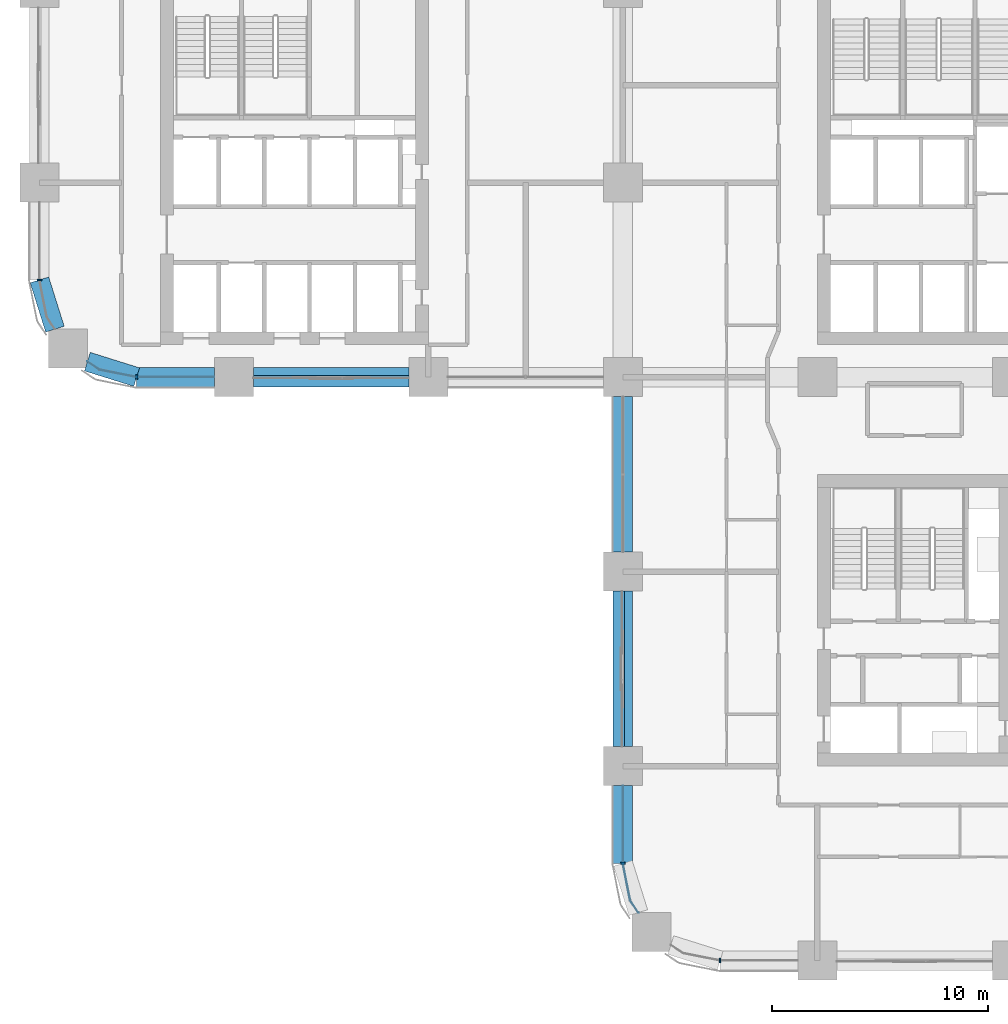
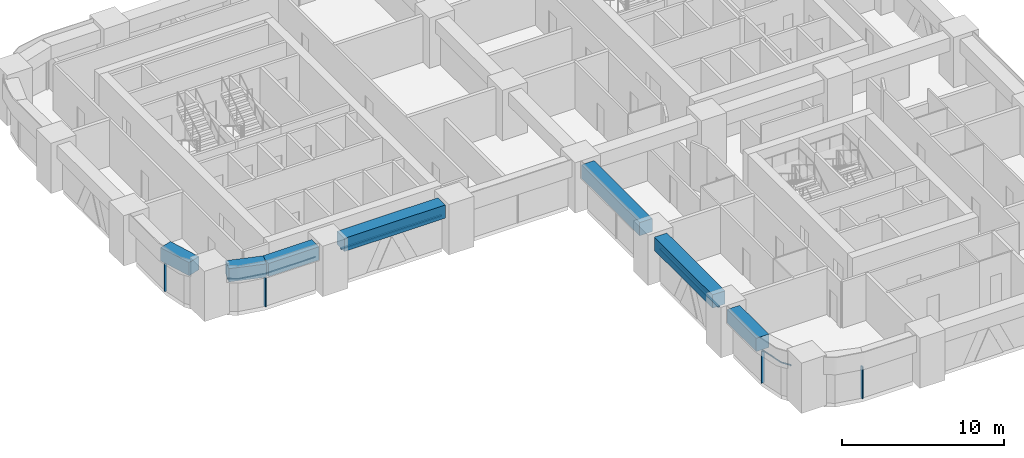
# One storey, part 2 of 26: 8 members, 7 beams, 6 elements without a shape of their own.
"""IFC4 building model written with IfcOpenShell, lengths in metres."""

from ifc_helpers import new_model, si_unit, direction, frame, origin, origin_2d, place, context, subcontext, project, spatial, polyline, rectangle, outline, extrude, material, material_profile, profile_set, type_object, element, aggregate, save


model = new_model("IFC4")

# Units and contexts
model_context = context("Model", 3, precision=1e-05, world=origin(), true_north=direction((0.0, 1.0)))
body_context = subcontext(model_context, "Body", "Model", "MODEL_VIEW")
ifc_project = project(units=[si_unit("LENGTHUNIT", "METRE"), si_unit("AREAUNIT", "SQUARE_METRE"), si_unit("VOLUMEUNIT", "CUBIC_METRE"), si_unit("PLANEANGLEUNIT", "RADIAN"), si_unit("MASSUNIT", "GRAM", prefix="KILO")], contexts=[model_context])

# Site, building, storey
site_placement = place(None, origin())
site = spatial("IfcSite", under=ifc_project, at=site_placement, CompositionType="ELEMENT")
building_placement = place(site_placement, origin())
building = spatial("IfcBuilding", under=site, at=building_placement, Name="Tessera Arch", CompositionType="ELEMENT")
storey_placement = place(building_placement, frame((0.0, 0.0, 96.800048828125)))
storey = spatial("IfcBuildingStorey", under=building, at=storey_placement, Name="L22", CompositionType="ELEMENT", Elevation=96.800048828125)

# Curtain wall, member
ifc_material_1 = material(Name="CW2 curtain wall")
curtain_wall_type_1 = type_object("IfcCurtainWallType", Name="CW2 curtain wall", PredefinedType="NOTDEFINED", material=ifc_material_1)
curtain_wall_1_placement = place(storey_placement, origin())
curtain_wall_1 = element("IfcCurtainWall", 1, at=curtain_wall_1_placement, inside=storey, type_object=curtain_wall_type_1, Name="CW2 curtain wall W0.27/2 L22", PredefinedType="NOTDEFINED")
ifc_material_2 = material(Name="Anodised aluminium pale metal", Category="aluminium")
ifc_material_profile_1 = material_profile(ifc_material_2, rectangle(XDim=0.199951171875, YDim=0.080078125, at=origin_2d()), Name="AL 80x200")
ifc_profile_set_1 = profile_set([ifc_material_profile_1], Name="Anodised aluminium pale metal")
member_type_1 = type_object("IfcMemberType", Name="CW2 mullion", PredefinedType="MULLION", material=ifc_profile_set_1)
member_1_placement = place(storey_placement, frame((0.0, 31.5, 0.0), z_axis=(0.0, 0.0, 1.0), x_axis=(1.0, 0.0, 0.0)))
member_1 = element("IfcMember", 2, at=member_1_placement, type_object=member_type_1, Name="CW2 mullion W0.27/2 1", PredefinedType="MULLION", context=body_context, shape_type="SweptSolid", body=[
    extrude(rectangle(XDim=0.199951171875, YDim=0.080078125, at=origin_2d()), origin(), (0.0, 0.0, 1.0), 2.39990234375),
])
aggregate(curtain_wall_1, [member_1])

curtain_wall_2_placement = place(storey_placement, origin())
curtain_wall_2 = element("IfcCurtainWall", 3, at=curtain_wall_2_placement, inside=storey, type_object=curtain_wall_type_1, Name="CW2 curtain wall S27.0/0 L22", PredefinedType="NOTDEFINED")
member_2_placement = place(storey_placement, frame((4.5, 27.0, 0.0), z_axis=(0.0, 0.0, 1.0), x_axis=(0.0, 1.0, 0.0)))
member_2 = element("IfcMember", 4, at=member_2_placement, type_object=member_type_1, Name="CW2 mullion S27.0/0 1", PredefinedType="MULLION", context=body_context, shape_type="SweptSolid", body=[
    extrude(rectangle(XDim=0.199951171875, YDim=0.080078125, at=origin_2d()), origin(), (0.0, 0.0, 1.0), 2.39990234375),
])

curtain_wall_3_placement = place(storey_placement, origin())
curtain_wall_3 = element("IfcCurtainWall", 5, at=curtain_wall_3_placement, inside=storey, type_object=curtain_wall_type_1, Name="CW2 curtain wall W27.0/2 L22", PredefinedType="NOTDEFINED")
member_3_placement = place(storey_placement, frame((27.0, 4.5, 0.0), z_axis=(0.0, 0.0, 1.0), x_axis=(1.0, 0.0, 0.0)))
member_3 = element("IfcMember", 6, at=member_3_placement, type_object=member_type_1, Name="CW2 mullion W27.0/2 1", PredefinedType="MULLION", context=body_context, shape_type="SweptSolid", body=[
    extrude(rectangle(XDim=0.199951171875, YDim=0.080078125, at=origin_2d()), origin(), (0.0, 0.0, 1.0), 2.39990234375),
])

curtain_wall_4_placement = place(storey_placement, origin())
curtain_wall_4 = element("IfcCurtainWall", 7, at=curtain_wall_4_placement, inside=storey, type_object=curtain_wall_type_1, Name="CW2 curtain wall S0.27/0 L22", PredefinedType="NOTDEFINED")
member_4_placement = place(storey_placement, frame((31.5, 0.0, 0.0), z_axis=(0.0, 0.0, 1.0), x_axis=(0.0, 1.0, 0.0)))
member_4 = element("IfcMember", 8, at=member_4_placement, type_object=member_type_1, Name="CW2 mullion S0.27/0 1", PredefinedType="MULLION", context=body_context, shape_type="SweptSolid", body=[
    extrude(rectangle(XDim=0.199951171875, YDim=0.080078125, at=origin_2d()), origin(), (0.0, 0.0, 1.0), 2.39990234375),
])
aggregate(curtain_wall_4, [member_4])

# Member
ifc_material_3 = material(Name="Anodised aluminium pale metal", Category="aluminium")
ifc_material_profile_2 = material_profile(ifc_material_3, rectangle(XDim=0.199951171875, YDim=0.10009765625, at=origin_2d()), Name="AL 200x100")
ifc_profile_set_2 = profile_set([ifc_material_profile_2], Name="Anodised aluminium pale metal")
member_type_2 = type_object("IfcMemberType", Name="CW2 transom", PredefinedType="USERDEFINED", material=ifc_profile_set_2)
member_5_placement = place(storey_placement, frame((0.0, 0.0, 2.39990234375)))
member_5 = element("IfcMember", 9, at=member_5_placement, type_object=member_type_2, Name="CW2 transom S27.0/0 1", ObjectType="TRANSOM", PredefinedType="USERDEFINED", context=body_context, shape_type="SweptSolid", body=[
    extrude(outline(polyline([(2.78173828125, 27.351806640625), (2.2236328125, 27.72509765625), (2.21240234375, 27.70849609375), (2.77392578125, 27.3330078125), (4.4990234375, 26.989990234375), (8.10009765625, 26.989990234375), (8.10009765625, 27.010009765625), (4.5009765625, 27.010009765625), (2.78173828125, 27.351806640625)])), origin(), (0.0, 0.0, 1.0), 0.10009765625),
])

aggregate(curtain_wall_2, [member_2, member_5])

member_6_placement = place(storey_placement, frame((0.0, 0.0, 2.39990234375)))
member_6 = element("IfcMember", 10, at=member_6_placement, type_object=member_type_2, Name="CW2 transom W27.0/2 1", ObjectType="TRANSOM", PredefinedType="USERDEFINED", context=body_context, shape_type="SweptSolid", body=[
    extrude(outline(polyline([(27.010009765625, 4.5009765625), (27.010009765625, 8.10009765625), (26.989990234375, 8.10009765625), (26.989990234375, 4.4990234375), (27.3330078125, 2.77392578125), (27.70849609375, 2.21240234375), (27.72509765625, 2.2236328125), (27.351806640625, 2.78173828125), (27.010009765625, 4.5009765625)])), origin(), (0.0, 0.0, 1.0), 0.10009765625),
])

aggregate(curtain_wall_3, [member_3, member_6])

# Curtain wall, member
ifc_material_4 = material(Name="CW3 curtain wall")
curtain_wall_type_2 = type_object("IfcCurtainWallType", Name="CW3 curtain wall", PredefinedType="NOTDEFINED", material=ifc_material_4)
curtain_wall_5_placement = place(storey_placement, origin())
curtain_wall_5 = element("IfcCurtainWall", 11, at=curtain_wall_5_placement, inside=storey, type_object=curtain_wall_type_2, Name="CW3 curtain wall S27.0/1 L22", PredefinedType="NOTDEFINED")
ifc_material_5 = material(Name="Anodised aluminium pale metal", Category="aluminium")
ifc_material_profile_3 = material_profile(ifc_material_5, rectangle(XDim=0.139892578125, YDim=0.10009765625, at=origin_2d()), Name="AL 140x100")
ifc_profile_set_3 = profile_set([ifc_material_profile_3], Name="Anodised aluminium pale metal")
member_type_3 = type_object("IfcMemberType", Name="CW3 transom", PredefinedType="USERDEFINED", material=ifc_profile_set_3)
member_7_placement = place(storey_placement, frame((9.89990234375, 27.0, 2.449951171875), z_axis=(1.0, 0.0, 0.0), x_axis=(0.0, 1.0, 0.0)))
member_7 = element("IfcMember", 12, at=member_7_placement, type_object=member_type_3, Name="CW3 transom S27.0/1 1.1", ObjectType="TRANSOM", PredefinedType="USERDEFINED", context=body_context, shape_type="SweptSolid", body=[
    extrude(rectangle(XDim=0.139892578125, YDim=0.10009765625, at=origin_2d()), origin(), (0.0, 0.0, 1.0), 7.2001953125),
])
aggregate(curtain_wall_5, [member_7])

curtain_wall_6_placement = place(storey_placement, origin())
curtain_wall_6 = element("IfcCurtainWall", 13, at=curtain_wall_6_placement, inside=storey, type_object=curtain_wall_type_2, Name="CW3 curtain wall W27.0/1 L22", PredefinedType="NOTDEFINED")
member_8_placement = place(storey_placement, frame((27.0, 17.10009765625, 2.449951171875), z_axis=(0.0, -1.0, 0.0), x_axis=(1.0, 0.0, 0.0)))
member_8 = element("IfcMember", 14, at=member_8_placement, type_object=member_type_3, Name="CW3 transom W27.0/1 1.1", ObjectType="TRANSOM", PredefinedType="USERDEFINED", context=body_context, shape_type="SweptSolid", body=[
    extrude(rectangle(XDim=0.139892578125, YDim=0.10009765625, at=origin_2d()), origin(), (0.0, 0.0, 1.0), 7.2001953125),
])
aggregate(curtain_wall_6, [member_8])

# Beams
ifc_material_6 = material(Name="Concrete C80/95", Category="concrete")
ifc_material_profile_4 = material_profile(ifc_material_6, rectangle(XDim=0.89990234375, YDim=1.0, at=origin_2d()), Name="RC spandrel beam 900 x 1000 Concrete C80/95")
ifc_profile_set_4 = profile_set([ifc_material_profile_4], Name="Concrete C80/95")
beam_type = type_object("IfcBeamType", Name="RC spandrel beam 900 x 1000 Concrete C80/95", PredefinedType="BEAM", material=ifc_profile_set_4)
for number, where, z_axis, x_axis, name in (
    (15, (0.0, 31.5, 3.0), (0.299675309057, -0.954041251279, 0.0), (0.954041251279, 0.299675309057, 0.0), "Spandrel beam L22 W0.27/2.2"),
    (16, (2.218017578125, 27.716796875, 3.0), (0.954041251279, -0.299675309057, 0.0), (0.299675309057, 0.954041251279, 0.0), "Spandrel beam L22 S27.0/0.1"),
):
    element("IfcBeam", number, at=place(storey_placement, frame(where, z_axis=z_axis, x_axis=x_axis)), inside=storey, type_object=beam_type, Name=name, PredefinedType="BEAM", context=body_context, shape_type="SweptSolid", body=[
        extrude(rectangle(XDim=0.89990234375, YDim=1.0, at=origin_2d()), origin(), (0.0, 0.0, 1.0), 2.391845703125),
    ])
beam_1_placement = place(storey_placement, frame((4.5, 27.0, 3.0), z_axis=(1.0, 0.0, 0.0), x_axis=(0.0, 1.0, 0.0)))
element("IfcBeam", 17, at=beam_1_placement, inside=storey, type_object=beam_type, Name="Spandrel beam L22 S27.0/0.2", PredefinedType="BEAM", context=body_context, shape_type="SweptSolid", body=[
    extrude(rectangle(XDim=0.89990234375, YDim=1.0, at=origin_2d()), origin(), (0.0, 0.0, 1.0), 3.60009765625),
])
for number, where, z_axis, x_axis, name in (
    (18, (9.89990234375, 27.0, 3.0), (1.0, 0.0, 0.0), (0.0, 1.0, 0.0), "Spandrel beam L22 S27.0/1"),
    (19, (27.0, 26.10009765625, 3.0), (0.0, -1.0, 0.0), (1.0, 0.0, 0.0), "Spandrel beam L22 W27.0/0"),
    (20, (27.0, 17.10009765625, 3.0), (0.0, -1.0, 0.0), (1.0, 0.0, 0.0), "Spandrel beam L22 W27.0/1"),
):
    element("IfcBeam", number, at=place(storey_placement, frame(where, z_axis=z_axis, x_axis=x_axis)), inside=storey, type_object=beam_type, Name=name, PredefinedType="BEAM", context=body_context, shape_type="SweptSolid", body=[
        extrude(rectangle(XDim=0.89990234375, YDim=1.0, at=origin_2d()), origin(), (0.0, 0.0, 1.0), 7.2001953125),
    ])
beam_2_placement = place(storey_placement, frame((27.0, 8.10009765625, 3.0), z_axis=(0.0, -1.0, 0.0), x_axis=(1.0, 0.0, 0.0)))
element("IfcBeam", 21, at=beam_2_placement, inside=storey, type_object=beam_type, Name="Spandrel beam L22 W27.0/2.1", PredefinedType="BEAM", context=body_context, shape_type="SweptSolid", body=[
    extrude(rectangle(XDim=0.89990234375, YDim=1.0, at=origin_2d()), origin(), (0.0, 0.0, 1.0), 3.60009765625),
])

save(model, "model.ifc")
